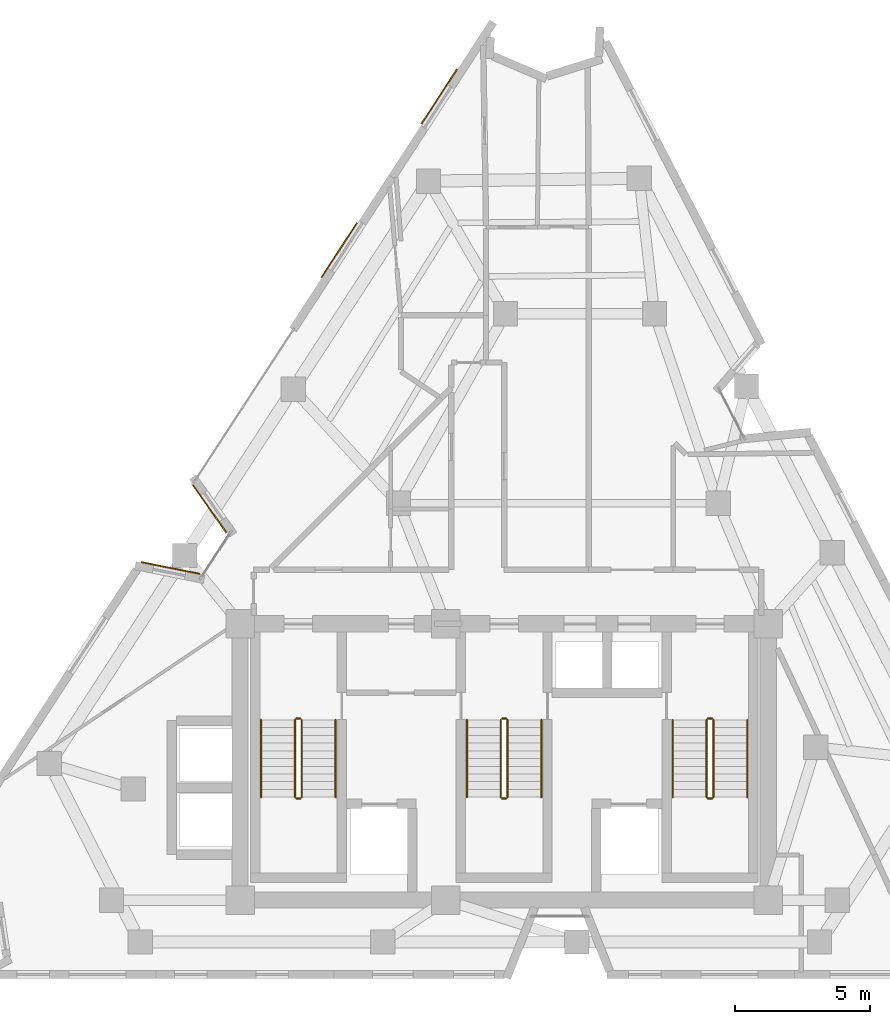
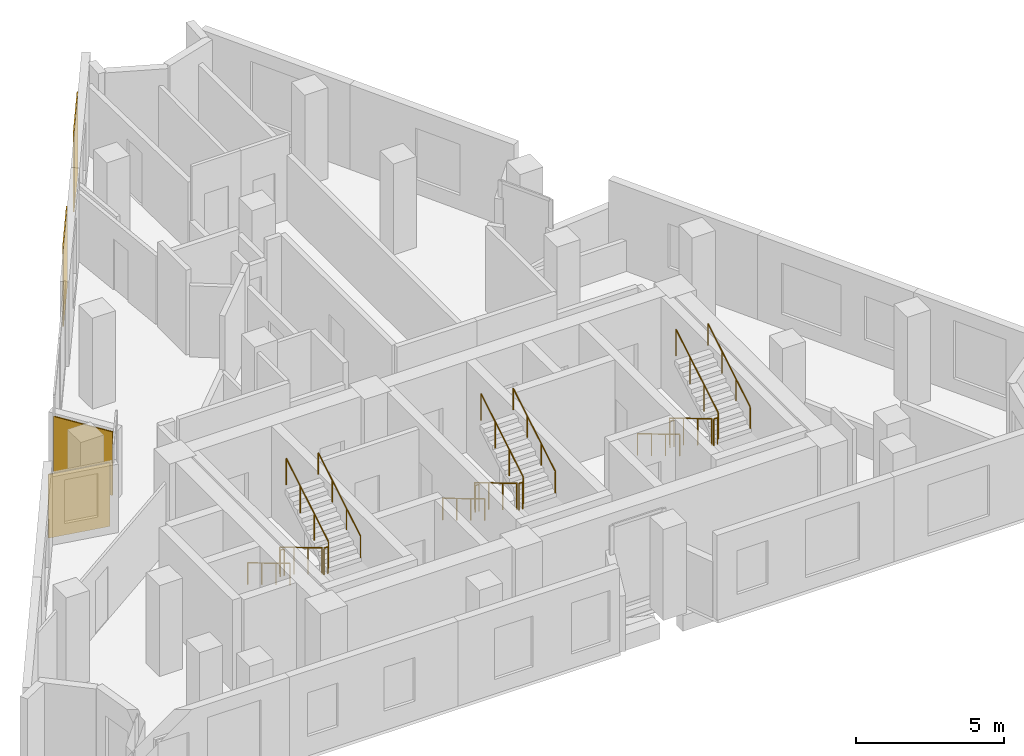
# One storey, part 9 of 9: 18 railings, 4 coverings.
"""IFC4 building model written with IfcOpenShell, lengths in metres."""

from ifc_helpers import new_model, si_unit, direction, frame, origin, origin_2d, place, context, subcontext, project, spatial, rectangle, circle, extrude, material, layer, layer_set, type_object, element, save


model = new_model("IFC4")

# Units and contexts
model_context = context("Model", 3, precision=1e-05, world=origin(), true_north=direction((0.0, 1.0)))
body_context = subcontext(model_context, "Body", "Model", "MODEL_VIEW")
ifc_project = project(units=[si_unit("LENGTHUNIT", "METRE"), si_unit("AREAUNIT", "SQUARE_METRE"), si_unit("VOLUMEUNIT", "CUBIC_METRE"), si_unit("PLANEANGLEUNIT", "RADIAN"), si_unit("MASSUNIT", "GRAM", prefix="KILO")], contexts=[model_context])

# Site, building, storey
site_placement = place(None, origin())
site = spatial("IfcSite", under=ifc_project, at=site_placement, CompositionType="ELEMENT")
building_placement = place(site_placement, origin())
building = spatial("IfcBuilding", under=site, at=building_placement, Name="Almagre Mirador Tower", CompositionType="ELEMENT")
storey_placement = place(building_placement, frame((0.0, 0.0, 225.75)))
storey = spatial("IfcBuildingStorey", under=building, at=storey_placement, Name="L58", CompositionType="ELEMENT", Elevation=225.75)

# Coverings
ifc_material_1 = material(Name="Almagre terracotta architectural cladding", Category="masonry")
ifc_layer = layer(ifc_material_1, 0.044921875)
ifc_layer_set = layer_set([ifc_layer], Name="Almagre terracotta architectural cladding")
covering_type = type_object("IfcCoveringType", Name="COV-CLAD-ALMAGRE", PredefinedType="CLADDING", material=ifc_layer_set)
covering_1_placement = place(storey_placement, frame((24.98095703125, 16.81298828125, 0.10009765625), z_axis=(0.0, 0.0, 1.0), x_axis=(0.980381414413, -0.197109822874, 0.0)))
element("IfcCovering", 1, at=covering_1_placement, inside=storey, type_object=covering_type, Name="L58 almagre terracotta pier cladding", PredefinedType="CLADDING", context=body_context, shape_type="SweptSolid", body=[
    extrude(rectangle(XDim=2.193115234375, YDim=0.044921875, at=origin_2d()), origin(), (0.0, 0.0, 1.0), 2.625),
])
covering_2_placement = place(storey_placement, frame((26.41259765625, 19.012451171875, 0.10009765625), z_axis=(0.0, 0.0, 1.0), x_axis=(-0.576931374002, 0.816792623432, 0.0)))
element("IfcCovering", 2, at=covering_2_placement, inside=storey, type_object=covering_type, Name="L58 almagre terracotta pier cladding", PredefinedType="CLADDING", context=body_context, shape_type="SweptSolid", body=[
    extrude(rectangle(XDim=2.194091796875, YDim=0.044921875, at=origin_2d()), origin(), (0.0, 0.0, 1.0), 2.625),
])
for number, where, z_axis, x_axis, name in (
    (3, (31.20751953125, 28.546630859375, 0.10009765625), (0.0, 0.0, 1.0), (0.545619379119, 0.838033109805, 0.0), "L58 almagre terracotta pier cladding"),
    (4, (34.90234375, 34.2216796875, 0.10009765625), (0.0, 0.0, 1.0), (0.545619379119, 0.838033109805, 0.0), "L58 almagre terracotta pier cladding"),
):
    element("IfcCovering", number, at=place(storey_placement, frame(where, z_axis=z_axis, x_axis=x_axis)), inside=storey, type_object=covering_type, Name=name, PredefinedType="CLADDING", context=body_context, shape_type="SweptSolid", body=[
        extrude(rectangle(XDim=2.39990234375, YDim=0.044921875, at=origin_2d()), origin(), (0.0, 0.0, 1.0), 3.300048828125),
    ])

# Railings
ifc_material_2 = material(Name="Painted galvanized steel", Category="steel")
railing_type_1 = type_object("IfcRailingType", Name="RLG-GRD-1100", PredefinedType="GUARDRAIL", material=ifc_material_2)
railing_1_placement = place(storey_placement, frame((29.574951171875, 11.199951171875, 0.17041015625)))
element("IfcRailing", 5, at=railing_1_placement, inside=storey, type_object=railing_type_1, Name="L58 ST-1 stair guard 1", PredefinedType="GUARDRAIL", context=body_context, shape_type="SweptSolid", body=[
    extrude(circle(Radius=0.02392578125, at=origin_2d()), frame((0.0, 0.0, 1.09619140625), z_axis=(0.0, -0.858199205511, 0.513316786848), x_axis=(1.0, 0.0, 0.0)), (0.0, 0.0, 1.0), 3.32080078125),
    extrude(circle(Radius=0.02099609375, at=origin_2d()), origin(), (0.0, 0.0, 1.0), 1.072021484375),
    extrude(circle(Radius=0.02099609375, at=origin_2d()), frame((0.0, -0.949951171875, 0.568115234375)), (0.0, 0.0, 1.0), 1.072021484375),
    extrude(circle(Radius=0.02099609375, at=origin_2d()), frame((0.0, -1.89990234375, 1.136474609375)), (0.0, 0.0, 1.0), 1.072021484375),
    extrude(circle(Radius=0.02099609375, at=origin_2d()), frame((0.0, -2.849853515625, 1.70458984375)), (0.0, 0.0, 1.0), 1.072021484375),
])
railing_2_placement = place(storey_placement, frame((29.625, 8.300048828125, 1.875)))
element("IfcRailing", 6, at=railing_2_placement, inside=storey, type_object=railing_type_1, Name="L58 ST-1 stair guard 2", PredefinedType="GUARDRAIL", context=body_context, shape_type="SweptSolid", body=[
    extrude(circle(Radius=0.02392578125, at=origin_2d()), frame((0.0, 0.0, 1.09619140625), z_axis=(1.0, 0.0, 0.0), x_axis=(0.0, 1.0, 0.0)), (0.0, 0.0, 1.0), 0.14990234375),
    extrude(circle(Radius=0.02099609375, at=origin_2d()), origin(), (0.0, 0.0, 1.0), 1.072021484375),
    extrude(circle(Radius=0.02099609375, at=origin_2d()), frame((0.14990234375, 0.0, 0.0)), (0.0, 0.0, 1.0), 1.072021484375),
])
railing_3_placement = place(storey_placement, frame((29.824951171875, 8.35009765625, 2.04541015625)))
element("IfcRailing", 7, at=railing_3_placement, inside=storey, type_object=railing_type_1, Name="L58 ST-1 stair guard 3", PredefinedType="GUARDRAIL", context=body_context, shape_type="SweptSolid", body=[
    extrude(circle(Radius=0.02392578125, at=origin_2d()), frame((0.0, 0.0, 1.09619140625), z_axis=(0.0, 0.858199205511, 0.513316786848), x_axis=(-1.0, 0.0, 0.0)), (0.0, 0.0, 1.0), 3.32080078125),
    extrude(circle(Radius=0.02099609375, at=origin_2d()), origin(), (0.0, 0.0, 1.0), 1.072021484375),
    extrude(circle(Radius=0.02099609375, at=origin_2d()), frame((0.0, 0.949951171875, 0.568115234375)), (0.0, 0.0, 1.0), 1.072021484375),
    extrude(circle(Radius=0.02099609375, at=origin_2d()), frame((0.0, 1.89990234375, 1.136474609375)), (0.0, 0.0, 1.0), 1.072021484375),
    extrude(circle(Radius=0.02099609375, at=origin_2d()), frame((0.0, 2.849853515625, 1.70458984375)), (0.0, 0.0, 1.0), 1.072021484375),
])
railing_4_placement = place(storey_placement, frame((29.625, 11.25, 0.0)))
element("IfcRailing", 8, at=railing_4_placement, inside=storey, type_object=railing_type_1, Name="L58 ST-1 stair guard 4", PredefinedType="GUARDRAIL", context=body_context, shape_type="SweptSolid", body=[
    extrude(circle(Radius=0.02392578125, at=origin_2d()), frame((0.0, 0.0, 1.09619140625), z_axis=(1.0, 0.0, 0.0), x_axis=(0.0, 1.0, 0.0)), (0.0, 0.0, 1.0), 0.14990234375),
    extrude(circle(Radius=0.02099609375, at=origin_2d()), origin(), (0.0, 0.0, 1.0), 1.072021484375),
    extrude(circle(Radius=0.02099609375, at=origin_2d()), frame((0.14990234375, 0.0, 0.0)), (0.0, 0.0, 1.0), 1.072021484375),
])
railing_5_placement = place(storey_placement, frame((37.175048828125, 11.199951171875, 0.17041015625)))
element("IfcRailing", 9, at=railing_5_placement, inside=storey, type_object=railing_type_1, Name="L58 ST-2 stair guard 1", PredefinedType="GUARDRAIL", context=body_context, shape_type="SweptSolid", body=[
    extrude(circle(Radius=0.02392578125, at=origin_2d()), frame((0.0, 0.0, 1.09619140625), z_axis=(0.0, -0.858199205511, 0.513316786848), x_axis=(1.0, 0.0, 0.0)), (0.0, 0.0, 1.0), 3.32080078125),
    extrude(circle(Radius=0.02099609375, at=origin_2d()), origin(), (0.0, 0.0, 1.0), 1.072021484375),
    extrude(circle(Radius=0.02099609375, at=origin_2d()), frame((0.0, -0.949951171875, 0.568115234375)), (0.0, 0.0, 1.0), 1.072021484375),
    extrude(circle(Radius=0.02099609375, at=origin_2d()), frame((0.0, -1.89990234375, 1.136474609375)), (0.0, 0.0, 1.0), 1.072021484375),
    extrude(circle(Radius=0.02099609375, at=origin_2d()), frame((0.0, -2.849853515625, 1.70458984375)), (0.0, 0.0, 1.0), 1.072021484375),
])
railing_6_placement = place(storey_placement, frame((37.22509765625, 8.300048828125, 1.875)))
element("IfcRailing", 10, at=railing_6_placement, inside=storey, type_object=railing_type_1, Name="L58 ST-2 stair guard 2", PredefinedType="GUARDRAIL", context=body_context, shape_type="SweptSolid", body=[
    extrude(circle(Radius=0.02392578125, at=origin_2d()), frame((0.0, 0.0, 1.09619140625), z_axis=(1.0, 0.0, 0.0), x_axis=(0.0, 1.0, 0.0)), (0.0, 0.0, 1.0), 0.14990234375),
    extrude(circle(Radius=0.02099609375, at=origin_2d()), origin(), (0.0, 0.0, 1.0), 1.072021484375),
    extrude(circle(Radius=0.02099609375, at=origin_2d()), frame((0.14990234375, 0.0, 0.0)), (0.0, 0.0, 1.0), 1.072021484375),
])
railing_7_placement = place(storey_placement, frame((37.425048828125, 8.35009765625, 2.04541015625)))
element("IfcRailing", 11, at=railing_7_placement, inside=storey, type_object=railing_type_1, Name="L58 ST-2 stair guard 3", PredefinedType="GUARDRAIL", context=body_context, shape_type="SweptSolid", body=[
    extrude(circle(Radius=0.02392578125, at=origin_2d()), frame((0.0, 0.0, 1.09619140625), z_axis=(0.0, 0.858199205511, 0.513316786848), x_axis=(-1.0, 0.0, 0.0)), (0.0, 0.0, 1.0), 3.32080078125),
    extrude(circle(Radius=0.02099609375, at=origin_2d()), origin(), (0.0, 0.0, 1.0), 1.072021484375),
    extrude(circle(Radius=0.02099609375, at=origin_2d()), frame((0.0, 0.949951171875, 0.568115234375)), (0.0, 0.0, 1.0), 1.072021484375),
    extrude(circle(Radius=0.02099609375, at=origin_2d()), frame((0.0, 1.89990234375, 1.136474609375)), (0.0, 0.0, 1.0), 1.072021484375),
    extrude(circle(Radius=0.02099609375, at=origin_2d()), frame((0.0, 2.849853515625, 1.70458984375)), (0.0, 0.0, 1.0), 1.072021484375),
])
railing_8_placement = place(storey_placement, frame((37.22509765625, 11.25, 0.0)))
element("IfcRailing", 12, at=railing_8_placement, inside=storey, type_object=railing_type_1, Name="L58 ST-2 stair guard 4", PredefinedType="GUARDRAIL", context=body_context, shape_type="SweptSolid", body=[
    extrude(circle(Radius=0.02392578125, at=origin_2d()), frame((0.0, 0.0, 1.09619140625), z_axis=(1.0, 0.0, 0.0), x_axis=(0.0, 1.0, 0.0)), (0.0, 0.0, 1.0), 0.14990234375),
    extrude(circle(Radius=0.02099609375, at=origin_2d()), origin(), (0.0, 0.0, 1.0), 1.072021484375),
    extrude(circle(Radius=0.02099609375, at=origin_2d()), frame((0.14990234375, 0.0, 0.0)), (0.0, 0.0, 1.0), 1.072021484375),
])
railing_9_placement = place(storey_placement, frame((44.77490234375, 11.199951171875, 0.17041015625)))
element("IfcRailing", 13, at=railing_9_placement, inside=storey, type_object=railing_type_1, Name="L58 ST-3 stair guard 1", PredefinedType="GUARDRAIL", context=body_context, shape_type="SweptSolid", body=[
    extrude(circle(Radius=0.02392578125, at=origin_2d()), frame((0.0, 0.0, 1.09619140625), z_axis=(0.0, -0.858199205511, 0.513316786848), x_axis=(1.0, 0.0, 0.0)), (0.0, 0.0, 1.0), 3.32080078125),
    extrude(circle(Radius=0.02099609375, at=origin_2d()), origin(), (0.0, 0.0, 1.0), 1.072021484375),
    extrude(circle(Radius=0.02099609375, at=origin_2d()), frame((0.0, -0.949951171875, 0.568115234375)), (0.0, 0.0, 1.0), 1.072021484375),
    extrude(circle(Radius=0.02099609375, at=origin_2d()), frame((0.0, -1.89990234375, 1.136474609375)), (0.0, 0.0, 1.0), 1.072021484375),
    extrude(circle(Radius=0.02099609375, at=origin_2d()), frame((0.0, -2.849853515625, 1.70458984375)), (0.0, 0.0, 1.0), 1.072021484375),
])
railing_10_placement = place(storey_placement, frame((44.824951171875, 8.300048828125, 1.875)))
element("IfcRailing", 14, at=railing_10_placement, inside=storey, type_object=railing_type_1, Name="L58 ST-3 stair guard 2", PredefinedType="GUARDRAIL", context=body_context, shape_type="SweptSolid", body=[
    extrude(circle(Radius=0.02392578125, at=origin_2d()), frame((0.0, 0.0, 1.09619140625), z_axis=(1.0, 0.0, 0.0), x_axis=(0.0, 1.0, 0.0)), (0.0, 0.0, 1.0), 0.150146484375),
    extrude(circle(Radius=0.02099609375, at=origin_2d()), origin(), (0.0, 0.0, 1.0), 1.072021484375),
    extrude(circle(Radius=0.02099609375, at=origin_2d()), frame((0.150146484375, 0.0, 0.0)), (0.0, 0.0, 1.0), 1.072021484375),
])
railing_11_placement = place(storey_placement, frame((45.02490234375, 8.35009765625, 2.04541015625)))
element("IfcRailing", 15, at=railing_11_placement, inside=storey, type_object=railing_type_1, Name="L58 ST-3 stair guard 3", PredefinedType="GUARDRAIL", context=body_context, shape_type="SweptSolid", body=[
    extrude(circle(Radius=0.02392578125, at=origin_2d()), frame((0.0, 0.0, 1.09619140625), z_axis=(0.0, 0.858199205511, 0.513316786848), x_axis=(-1.0, 0.0, 0.0)), (0.0, 0.0, 1.0), 3.32080078125),
    extrude(circle(Radius=0.02099609375, at=origin_2d()), origin(), (0.0, 0.0, 1.0), 1.072021484375),
    extrude(circle(Radius=0.02099609375, at=origin_2d()), frame((0.0, 0.949951171875, 0.568115234375)), (0.0, 0.0, 1.0), 1.072021484375),
    extrude(circle(Radius=0.02099609375, at=origin_2d()), frame((0.0, 1.89990234375, 1.136474609375)), (0.0, 0.0, 1.0), 1.072021484375),
    extrude(circle(Radius=0.02099609375, at=origin_2d()), frame((0.0, 2.849853515625, 1.70458984375)), (0.0, 0.0, 1.0), 1.072021484375),
])
railing_12_placement = place(storey_placement, frame((44.824951171875, 11.25, 0.0)))
element("IfcRailing", 16, at=railing_12_placement, inside=storey, type_object=railing_type_1, Name="L58 ST-3 stair guard 4", PredefinedType="GUARDRAIL", context=body_context, shape_type="SweptSolid", body=[
    extrude(circle(Radius=0.02392578125, at=origin_2d()), frame((0.0, 0.0, 1.09619140625), z_axis=(1.0, 0.0, 0.0), x_axis=(0.0, 1.0, 0.0)), (0.0, 0.0, 1.0), 0.150146484375),
    extrude(circle(Radius=0.02099609375, at=origin_2d()), origin(), (0.0, 0.0, 1.0), 1.072021484375),
    extrude(circle(Radius=0.02099609375, at=origin_2d()), frame((0.150146484375, 0.0, 0.0)), (0.0, 0.0, 1.0), 1.072021484375),
])
ifc_material_3 = material(Name="Brushed stainless steel", Category="steel")
railing_type_2 = type_object("IfcRailingType", Name="RLG-HND-915", PredefinedType="HANDRAIL", material=ifc_material_3)
railing_13_placement = place(storey_placement, frame((28.324951171875, 11.199951171875, 0.17041015625)))
element("IfcRailing", 17, at=railing_13_placement, inside=storey, type_object=railing_type_2, Name="L58 ST-1 stair handrail 1", PredefinedType="HANDRAIL", context=body_context, shape_type="SweptSolid", body=[
    extrude(circle(Radius=0.02392578125, at=origin_2d()), frame((0.0, 0.0, 0.89111328125), z_axis=(0.0, -0.858199205511, 0.513316786848), x_axis=(1.0, 0.0, 0.0)), (0.0, 0.0, 1.0), 3.32080078125),
    extrude(circle(Radius=0.02099609375, at=origin_2d()), origin(), (0.0, 0.0, 1.0), 0.866943359375),
    extrude(circle(Radius=0.02099609375, at=origin_2d()), frame((0.0, -0.949951171875, 0.568115234375)), (0.0, 0.0, 1.0), 0.866943359375),
    extrude(circle(Radius=0.02099609375, at=origin_2d()), frame((0.0, -1.89990234375, 1.136474609375)), (0.0, 0.0, 1.0), 0.866943359375),
    extrude(circle(Radius=0.02099609375, at=origin_2d()), frame((0.0, -2.849853515625, 1.70458984375)), (0.0, 0.0, 1.0), 0.866943359375),
])
railing_14_placement = place(storey_placement, frame((31.074951171875, 8.35009765625, 2.04541015625)))
element("IfcRailing", 18, at=railing_14_placement, inside=storey, type_object=railing_type_2, Name="L58 ST-1 stair handrail 2", PredefinedType="HANDRAIL", context=body_context, shape_type="SweptSolid", body=[
    extrude(circle(Radius=0.02392578125, at=origin_2d()), frame((0.0, 0.0, 0.89111328125), z_axis=(0.0, 0.858199205511, 0.513316786848), x_axis=(-1.0, 0.0, 0.0)), (0.0, 0.0, 1.0), 3.32080078125),
    extrude(circle(Radius=0.02099609375, at=origin_2d()), origin(), (0.0, 0.0, 1.0), 0.866943359375),
    extrude(circle(Radius=0.02099609375, at=origin_2d()), frame((0.0, 0.949951171875, 0.568115234375)), (0.0, 0.0, 1.0), 0.866943359375),
    extrude(circle(Radius=0.02099609375, at=origin_2d()), frame((0.0, 1.89990234375, 1.136474609375)), (0.0, 0.0, 1.0), 0.866943359375),
    extrude(circle(Radius=0.02099609375, at=origin_2d()), frame((0.0, 2.849853515625, 1.70458984375)), (0.0, 0.0, 1.0), 0.866943359375),
])
railing_15_placement = place(storey_placement, frame((35.925048828125, 11.199951171875, 0.17041015625)))
element("IfcRailing", 19, at=railing_15_placement, inside=storey, type_object=railing_type_2, Name="L58 ST-2 stair handrail 1", PredefinedType="HANDRAIL", context=body_context, shape_type="SweptSolid", body=[
    extrude(circle(Radius=0.02392578125, at=origin_2d()), frame((0.0, 0.0, 0.89111328125), z_axis=(0.0, -0.858199205511, 0.513316786848), x_axis=(1.0, 0.0, 0.0)), (0.0, 0.0, 1.0), 3.32080078125),
    extrude(circle(Radius=0.02099609375, at=origin_2d()), origin(), (0.0, 0.0, 1.0), 0.866943359375),
    extrude(circle(Radius=0.02099609375, at=origin_2d()), frame((0.0, -0.949951171875, 0.568115234375)), (0.0, 0.0, 1.0), 0.866943359375),
    extrude(circle(Radius=0.02099609375, at=origin_2d()), frame((0.0, -1.89990234375, 1.136474609375)), (0.0, 0.0, 1.0), 0.866943359375),
    extrude(circle(Radius=0.02099609375, at=origin_2d()), frame((0.0, -2.849853515625, 1.70458984375)), (0.0, 0.0, 1.0), 0.866943359375),
])
railing_16_placement = place(storey_placement, frame((38.675048828125, 8.35009765625, 2.04541015625)))
element("IfcRailing", 20, at=railing_16_placement, inside=storey, type_object=railing_type_2, Name="L58 ST-2 stair handrail 2", PredefinedType="HANDRAIL", context=body_context, shape_type="SweptSolid", body=[
    extrude(circle(Radius=0.02392578125, at=origin_2d()), frame((0.0, 0.0, 0.89111328125), z_axis=(0.0, 0.858199205511, 0.513316786848), x_axis=(-1.0, 0.0, 0.0)), (0.0, 0.0, 1.0), 3.32080078125),
    extrude(circle(Radius=0.02099609375, at=origin_2d()), origin(), (0.0, 0.0, 1.0), 0.866943359375),
    extrude(circle(Radius=0.02099609375, at=origin_2d()), frame((0.0, 0.949951171875, 0.568115234375)), (0.0, 0.0, 1.0), 0.866943359375),
    extrude(circle(Radius=0.02099609375, at=origin_2d()), frame((0.0, 1.89990234375, 1.136474609375)), (0.0, 0.0, 1.0), 0.866943359375),
    extrude(circle(Radius=0.02099609375, at=origin_2d()), frame((0.0, 2.849853515625, 1.70458984375)), (0.0, 0.0, 1.0), 0.866943359375),
])
railing_17_placement = place(storey_placement, frame((43.52490234375, 11.199951171875, 0.17041015625)))
element("IfcRailing", 21, at=railing_17_placement, inside=storey, type_object=railing_type_2, Name="L58 ST-3 stair handrail 1", PredefinedType="HANDRAIL", context=body_context, shape_type="SweptSolid", body=[
    extrude(circle(Radius=0.02392578125, at=origin_2d()), frame((0.0, 0.0, 0.89111328125), z_axis=(0.0, -0.858199205511, 0.513316786848), x_axis=(1.0, 0.0, 0.0)), (0.0, 0.0, 1.0), 3.32080078125),
    extrude(circle(Radius=0.02099609375, at=origin_2d()), origin(), (0.0, 0.0, 1.0), 0.866943359375),
    extrude(circle(Radius=0.02099609375, at=origin_2d()), frame((0.0, -0.949951171875, 0.568115234375)), (0.0, 0.0, 1.0), 0.866943359375),
    extrude(circle(Radius=0.02099609375, at=origin_2d()), frame((0.0, -1.89990234375, 1.136474609375)), (0.0, 0.0, 1.0), 0.866943359375),
    extrude(circle(Radius=0.02099609375, at=origin_2d()), frame((0.0, -2.849853515625, 1.70458984375)), (0.0, 0.0, 1.0), 0.866943359375),
])
railing_18_placement = place(storey_placement, frame((46.27490234375, 8.35009765625, 2.04541015625)))
element("IfcRailing", 22, at=railing_18_placement, inside=storey, type_object=railing_type_2, Name="L58 ST-3 stair handrail 2", PredefinedType="HANDRAIL", context=body_context, shape_type="SweptSolid", body=[
    extrude(circle(Radius=0.02392578125, at=origin_2d()), frame((0.0, 0.0, 0.89111328125), z_axis=(0.0, 0.858199205511, 0.513316786848), x_axis=(-1.0, 0.0, 0.0)), (0.0, 0.0, 1.0), 3.32080078125),
    extrude(circle(Radius=0.02099609375, at=origin_2d()), origin(), (0.0, 0.0, 1.0), 0.866943359375),
    extrude(circle(Radius=0.02099609375, at=origin_2d()), frame((0.0, 0.949951171875, 0.568115234375)), (0.0, 0.0, 1.0), 0.866943359375),
    extrude(circle(Radius=0.02099609375, at=origin_2d()), frame((0.0, 1.89990234375, 1.136474609375)), (0.0, 0.0, 1.0), 0.866943359375),
    extrude(circle(Radius=0.02099609375, at=origin_2d()), frame((0.0, 2.849853515625, 1.70458984375)), (0.0, 0.0, 1.0), 0.866943359375),
])

save(model, "model.ifc")
